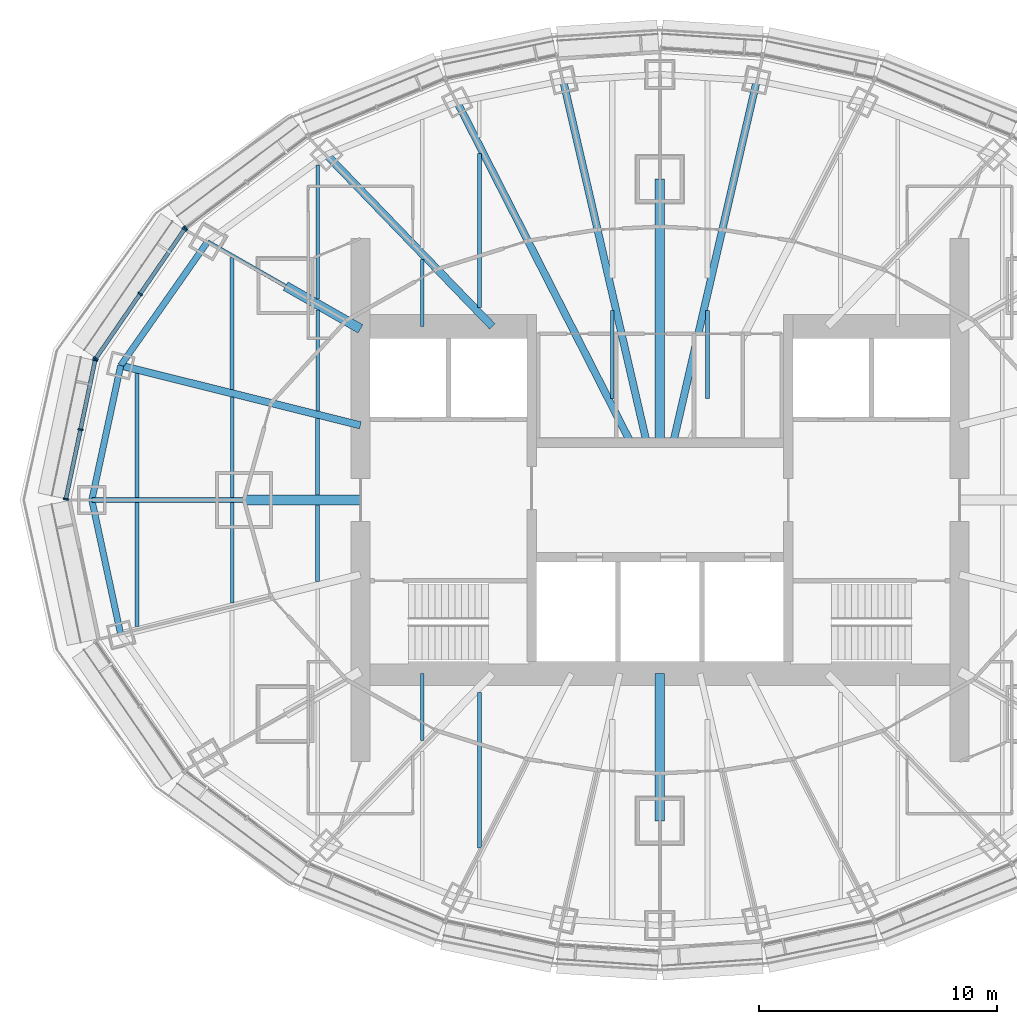
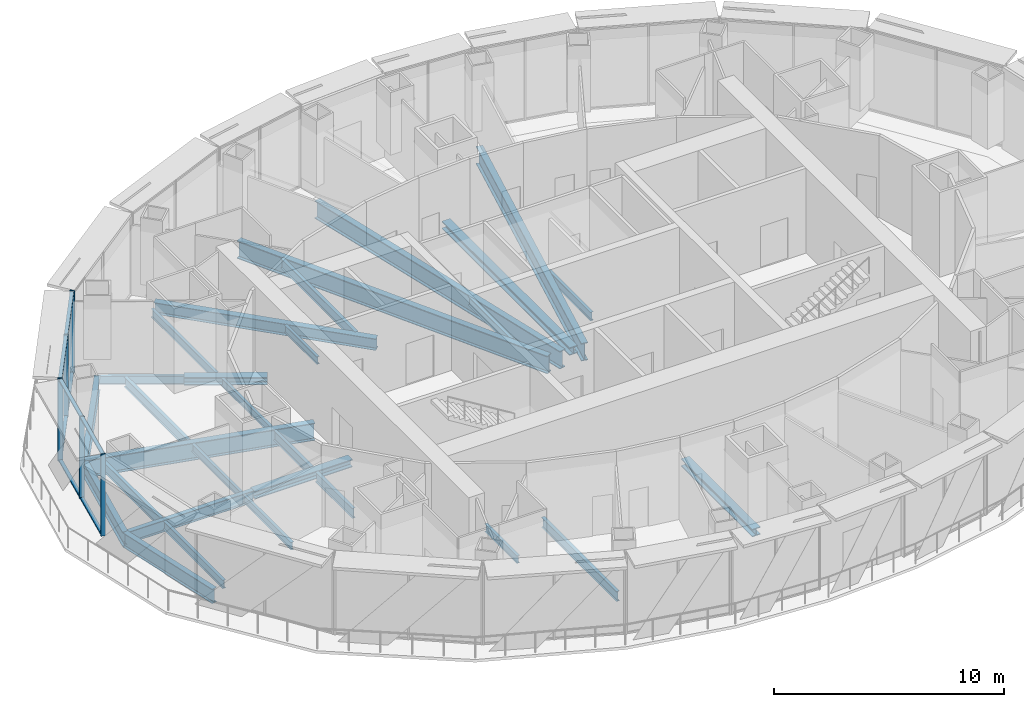
# One storey, part 3 of 17: 29 beams, 15 members, 3 elements without a shape of their own.
"""IFC4 building model written with IfcOpenShell, lengths in metres."""

from ifc_helpers import new_model, si_unit, direction, frame, origin, origin_2d, place, context, subcontext, project, spatial, rectangle, i_section, extrude, material, material_profile, profile_set, type_object, element, aggregate, save


model = new_model("IFC4")

# Units and contexts
model_context = context("Model", 3, precision=1e-05, world=origin(), true_north=direction((0.0, 1.0)))
body_context = subcontext(model_context, "Body", "Model", "MODEL_VIEW")
ifc_project = project(units=[si_unit("LENGTHUNIT", "METRE"), si_unit("AREAUNIT", "SQUARE_METRE"), si_unit("VOLUMEUNIT", "CUBIC_METRE"), si_unit("PLANEANGLEUNIT", "RADIAN"), si_unit("MASSUNIT", "GRAM", prefix="KILO")], contexts=[model_context])

# Site, building, storey
site_placement = place(None, origin())
site = spatial("IfcSite", under=ifc_project, at=site_placement, CompositionType="ELEMENT")
building_placement = place(site_placement, origin())
building = spatial("IfcBuilding", under=site, at=building_placement, Name="Lantaw Convention Tower", CompositionType="ELEMENT")
storey_placement = place(building_placement, frame((0.0, 0.0, 270.39990234375)))
storey = spatial("IfcBuildingStorey", under=building, at=storey_placement, Name="L63", CompositionType="ELEMENT", Elevation=270.39990234375)

# Beams
ifc_material_1 = material(Name="Steel ASTM A992", Category="steel")
ifc_material_profile_1 = material_profile(ifc_material_1, i_section(OverallWidth=0.2666015625, OverallDepth=0.76953125, WebThickness=0.015625, FlangeThickness=0.025390625, FilletRadius=0.0126953125, at=origin_2d()), Name="W30X132")
ifc_profile_set_1 = profile_set([ifc_material_profile_1], Name="Steel ASTM A992")
beam_type_1 = type_object("IfcBeamType", Name="Beam E W30X132", PredefinedType="SPANDREL", material=ifc_profile_set_1)
beam_1_placement = place(storey_placement, frame((-19.02685546875, 10.87255859375, -0.53466796875), z_axis=(-0.574400527612, -0.81857439117, 0.0), x_axis=(0.81857439117, -0.574400527612, 0.0)))
element("IfcBeam", 1, at=beam_1_placement, inside=storey, type_object=beam_type_1, Name="Edge beam 11", PredefinedType="SPANDREL", context=body_context, shape_type="SweptSolid", body=[
    extrude(i_section(OverallWidth=0.2666015625, OverallDepth=0.76953125, WebThickness=0.015625, FlangeThickness=0.025390625, FilletRadius=0.0126953125, at=origin_2d()), origin(), (0.0, 0.0, 1.0), 6.3720703125),
])
for number, where, z_axis, x_axis, name in (
    (2, (-22.68701171875, 5.656494140625, -0.53466796875), (-0.209658780372, -0.977774614015, 0.0), (0.977774614015, -0.209658780372, 0.0), "Edge beam 12"),
    (3, (-23.89990234375, 0.0, -0.53466796875), (0.209658780372, -0.977774614015, 0.0), (0.977774614015, 0.209658780372, 0.0), "Edge beam 13"),
):
    element("IfcBeam", number, at=place(storey_placement, frame(where, z_axis=z_axis, x_axis=x_axis)), inside=storey, type_object=beam_type_1, Name=name, PredefinedType="SPANDREL", context=body_context, shape_type="SweptSolid", body=[
        extrude(i_section(OverallWidth=0.2666015625, OverallDepth=0.76953125, WebThickness=0.015625, FlangeThickness=0.025390625, FilletRadius=0.0126953125, at=origin_2d()), origin(), (0.0, 0.0, 1.0), 5.78515625),
    ])
ifc_material_profile_2 = material_profile(ifc_material_1, i_section(OverallWidth=0.15234375, OverallDepth=0.449462890625, WebThickness=0.007568359375, FlangeThickness=0.0107421875, FilletRadius=0.01025390625, at=origin_2d()), Name="W18X35")
ifc_profile_set_2 = profile_set([ifc_material_profile_2], Name="Steel ASTM A992")
beam_type_2 = type_object("IfcBeamType", Name="Beam G W18X35", PredefinedType="BEAM", material=ifc_profile_set_2)
beam_2_placement = place(storey_placement, frame((-15.75, 9.0, -0.374755859375), z_axis=(-0.868235180478, 0.496152870978, 0.0), x_axis=(-0.496152870978, -0.868235180478, 0.0)))
element("IfcBeam", 4, at=beam_2_placement, inside=storey, type_object=beam_type_2, Name="Floor girder on ray 11", PredefinedType="BEAM", context=body_context, shape_type="SweptSolid", body=[
    extrude(i_section(OverallWidth=0.15234375, OverallDepth=0.449462890625, WebThickness=0.007568359375, FlangeThickness=0.0107421875, FilletRadius=0.01025390625, at=origin_2d()), origin(), (0.0, 0.0, 1.0), 3.774169921875),
])
ifc_material_profile_3 = material_profile(ifc_material_1, i_section(OverallWidth=0.3251953125, OverallDepth=0.612060546875, WebThickness=0.0126953125, FlangeThickness=0.01904296875, FilletRadius=0.0126953125, at=origin_2d()), Name="W24X104")
ifc_profile_set_3 = profile_set([ifc_material_profile_3], Name="Steel ASTM A992")
beam_type_3 = type_object("IfcBeamType", Name="Beam G W24X104", PredefinedType="BEAM", material=ifc_profile_set_3)
beam_3_placement = place(storey_placement, frame((-7.049560546875, 7.300048828125, -0.4560546875), z_axis=(-0.694652631285, 0.71934534255, 0.0), x_axis=(-0.71934534255, -0.694652631285, 0.0)))
element("IfcBeam", 5, at=beam_3_placement, inside=storey, type_object=beam_type_3, Name="Floor girder on ray 10", PredefinedType="BEAM", context=body_context, shape_type="SweptSolid", body=[
    extrude(i_section(OverallWidth=0.3251953125, OverallDepth=0.612060546875, WebThickness=0.0126953125, FlangeThickness=0.01904296875, FilletRadius=0.0126953125, at=origin_2d()), origin(), (0.0, 0.0, 1.0), 10.04541015625),
])
ifc_material_profile_4 = material_profile(ifc_material_1, i_section(OverallWidth=0.22900390625, OverallDepth=0.612060546875, WebThickness=0.011962890625, FlangeThickness=0.01953125, FilletRadius=0.0126953125, at=origin_2d()), Name="W24X84")
ifc_profile_set_4 = profile_set([ifc_material_profile_4], Name="Steel ASTM A992")
beam_type_4 = type_object("IfcBeamType", Name="Beam G W24X84", PredefinedType="BEAM", material=ifc_profile_set_4)
beam_4_placement = place(storey_placement, frame((-17.5, 0.0, -0.4560546875), z_axis=(-1.0, 0.0, 0.0), x_axis=(0.0, -1.0, 0.0)))
element("IfcBeam", 6, at=beam_4_placement, inside=storey, type_object=beam_type_4, Name="Floor girder on ray 13", PredefinedType="BEAM", context=body_context, shape_type="SweptSolid", body=[
    extrude(i_section(OverallWidth=0.22900390625, OverallDepth=0.612060546875, WebThickness=0.011962890625, FlangeThickness=0.01953125, FilletRadius=0.0126953125, at=origin_2d()), origin(), (0.0, 0.0, 1.0), 6.39990234375),
])
ifc_material_profile_5 = material_profile(ifc_material_1, i_section(OverallWidth=0.307373046875, OverallDepth=0.922119140625, WebThickness=0.018310546875, FlangeThickness=0.030029296875, FilletRadius=0.0126953125, at=origin_2d()), Name="W36X182")
ifc_profile_set_5 = profile_set([ifc_material_profile_5], Name="Steel ASTM A992")
beam_type_5 = type_object("IfcBeamType", Name="Beam G W36X182", PredefinedType="BEAM", material=ifc_profile_set_5)
beam_5_placement = place(storey_placement, frame((-12.60009765625, 3.1416015625, -0.61083984375), z_axis=(-0.97029702597, 0.241916682751, 0.0), x_axis=(-0.241916682751, -0.97029702597, 0.0)))
element("IfcBeam", 7, at=beam_5_placement, inside=storey, type_object=beam_type_5, Name="Floor girder on ray 12", PredefinedType="BEAM", context=body_context, shape_type="SweptSolid", body=[
    extrude(i_section(OverallWidth=0.307373046875, OverallDepth=0.922119140625, WebThickness=0.018310546875, FlangeThickness=0.030029296875, FilletRadius=0.0126953125, at=origin_2d()), origin(), (0.0, 0.0, 1.0), 10.395751953125),
])
ifc_material_profile_6 = material_profile(ifc_material_1, i_section(OverallWidth=0.307373046875, OverallDepth=0.9423828125, WebThickness=0.022216796875, FlangeThickness=0.039794921875, FilletRadius=0.0126953125, at=origin_2d()), Name="W36X232")
ifc_profile_set_6 = profile_set([ifc_material_profile_6], Name="Steel ASTM A992")
beam_type_6 = type_object("IfcBeamType", Name="Beam G W36X232", PredefinedType="BEAM", material=ifc_profile_set_6)
for number, where, z_axis, x_axis, name in (
    (8, (0.55419921875, 2.39990234375, -0.62109375), (0.22493929298, 0.974372780035, 0.0), (-0.974372780035, 0.22493929298, 0.0), "Floor girder on ray 6"),
    (9, (-0.55419921875, 2.39990234375, -0.62109375), (-0.22493929298, 0.974372780035, 0.0), (-0.974372780035, -0.22493929298, 0.0), "Floor girder on ray 8"),
):
    element("IfcBeam", number, at=place(storey_placement, frame(where, z_axis=z_axis, x_axis=x_axis)), inside=storey, type_object=beam_type_6, Name=name, PredefinedType="BEAM", context=body_context, shape_type="SweptSolid", body=[
        extrude(i_section(OverallWidth=0.307373046875, OverallDepth=0.9423828125, WebThickness=0.022216796875, FlangeThickness=0.039794921875, FilletRadius=0.0126953125, at=origin_2d()), origin(), (0.0, 0.0, 1.0), 15.643310546875),
    ])
beam_6_placement = place(storey_placement, frame((-1.222900390625, 2.39990234375, -0.62109375), z_axis=(-0.453985554173, 0.891009044063, 0.0), x_axis=(-0.891009044063, -0.453985554173, 0.0)))
element("IfcBeam", 10, at=beam_6_placement, inside=storey, type_object=beam_type_6, Name="Floor girder on ray 9", PredefinedType="BEAM", context=body_context, shape_type="SweptSolid", body=[
    extrude(i_section(OverallWidth=0.307373046875, OverallDepth=0.9423828125, WebThickness=0.022216796875, FlangeThickness=0.039794921875, FilletRadius=0.0126953125, at=origin_2d()), origin(), (0.0, 0.0, 1.0), 16.091796875),
])
ifc_material_profile_7 = material_profile(ifc_material_1, i_section(OverallWidth=0.40380859375, OverallDepth=0.406494140625, WebThickness=0.027099609375, FlangeThickness=0.043701171875, FilletRadius=0.01513671875, at=origin_2d()), Name="W14X233")
ifc_profile_set_7 = profile_set([ifc_material_profile_7], Name="Steel ASTM A992")
beam_type_7 = type_object("IfcBeamType", Name="Beam GM W14X233", PredefinedType="BEAM", material=ifc_profile_set_7)
beam_7_placement = place(storey_placement, frame((0.0, 2.39990234375, -0.35302734375), z_axis=(0.0, 1.0, 0.0), x_axis=(-1.0, 0.0, 0.0)))
element("IfcBeam", 11, at=beam_7_placement, inside=storey, type_object=beam_type_7, Name="Core link beam on ray 7", PredefinedType="BEAM", context=body_context, shape_type="SweptSolid", body=[
    extrude(i_section(OverallWidth=0.40380859375, OverallDepth=0.406494140625, WebThickness=0.027099609375, FlangeThickness=0.043701171875, FilletRadius=0.01513671875, at=origin_2d()), origin(), (0.0, 0.0, 1.0), 11.10009765625),
])
beam_8_placement = place(storey_placement, frame((-12.60009765625, 7.199951171875, -0.35302734375), z_axis=(-0.868230718294, 0.496160679428, 0.0), x_axis=(-0.496160679428, -0.868230718294, 0.0)))
element("IfcBeam", 12, at=beam_8_placement, inside=storey, type_object=beam_type_7, Name="Core link beam on ray 11", PredefinedType="BEAM", context=body_context, shape_type="SweptSolid", body=[
    extrude(i_section(OverallWidth=0.40380859375, OverallDepth=0.406494140625, WebThickness=0.027099609375, FlangeThickness=0.043701171875, FilletRadius=0.01513671875, at=origin_2d()), origin(), (0.0, 0.0, 1.0), 3.6279296875),
])
beam_9_placement = place(storey_placement, frame((-12.60009765625, 0.0, -0.35302734375), z_axis=(-1.0, 0.0, 0.0), x_axis=(0.0, -1.0, 0.0)))
element("IfcBeam", 13, at=beam_9_placement, inside=storey, type_object=beam_type_7, Name="Core link beam on ray 13", PredefinedType="BEAM", context=body_context, shape_type="SweptSolid", body=[
    extrude(i_section(OverallWidth=0.40380859375, OverallDepth=0.406494140625, WebThickness=0.027099609375, FlangeThickness=0.043701171875, FilletRadius=0.01513671875, at=origin_2d()), origin(), (0.0, 0.0, 1.0), 4.89990234375),
])
beam_10_placement = place(storey_placement, frame((0.0, -7.300048828125, -0.35302734375), z_axis=(0.0, -1.0, 0.0), x_axis=(1.0, 0.0, 0.0)))
element("IfcBeam", 14, at=beam_10_placement, inside=storey, type_object=beam_type_7, Name="Core link beam on ray 19", PredefinedType="BEAM", context=body_context, shape_type="SweptSolid", body=[
    extrude(i_section(OverallWidth=0.40380859375, OverallDepth=0.406494140625, WebThickness=0.027099609375, FlangeThickness=0.043701171875, FilletRadius=0.01513671875, at=origin_2d()), origin(), (0.0, 0.0, 1.0), 6.199951171875),
])
ifc_material_profile_8 = material_profile(ifc_material_1, i_section(OverallWidth=0.140380859375, OverallDepth=0.40380859375, WebThickness=0.007080078125, FlangeThickness=0.01123046875, FilletRadius=0.01025390625, at=origin_2d()), Name="W16X31")
ifc_profile_set_8 = profile_set([ifc_material_profile_8], Name="Steel ASTM A992")
beam_type_8 = type_object("IfcBeamType", Name="Beam J W16X31", PredefinedType="JOIST", material=ifc_profile_set_8)
for number, where, z_axis, x_axis, name in (
    (15, (-18.0, -4.32958984375, -0.351806640625), (0.0, 1.0, 0.0), (-1.0, 0.0, 0.0), "Floor joist"),
    (16, (-18.0, 0.114501953125, -0.351806640625), (0.0, 1.0, 0.0), (-1.0, 0.0, 0.0), "Floor joist"),
):
    element("IfcBeam", number, at=place(storey_placement, frame(where, z_axis=z_axis, x_axis=x_axis)), inside=storey, type_object=beam_type_8, Name=name, PredefinedType="JOIST", context=body_context, shape_type="SweptSolid", body=[
        extrude(i_section(OverallWidth=0.140380859375, OverallDepth=0.40380859375, WebThickness=0.007080078125, FlangeThickness=0.01123046875, FilletRadius=0.01025390625, at=origin_2d()), origin(), (0.0, 0.0, 1.0), 4.215087890625),
    ])
beam_11_placement = place(storey_placement, frame((-14.39990234375, 3.748779296875, -0.351806640625), z_axis=(0.0, 1.0, 0.0), x_axis=(-1.0, 0.0, 0.0)))
element("IfcBeam", 17, at=beam_11_placement, inside=storey, type_object=beam_type_8, Name="Floor joist", PredefinedType="JOIST", context=body_context, shape_type="SweptSolid", body=[
    extrude(i_section(OverallWidth=0.140380859375, OverallDepth=0.40380859375, WebThickness=0.007080078125, FlangeThickness=0.01123046875, FilletRadius=0.01025390625, at=origin_2d()), origin(), (0.0, 0.0, 1.0), 4.247314453125),
])
for number, where, z_axis, x_axis, name in (
    (18, (-10.0, -10.121337890625, -0.351806640625), (0.0, 1.0, 0.0), (-1.0, 0.0, 0.0), "Floor joist"),
    (19, (-10.0, 7.300048828125, -0.351806640625), (0.0, 1.0, 0.0), (-1.0, 0.0, 0.0), "Floor joist"),
):
    element("IfcBeam", number, at=place(storey_placement, frame(where, z_axis=z_axis, x_axis=x_axis)), inside=storey, type_object=beam_type_8, Name=name, PredefinedType="JOIST", context=body_context, shape_type="SweptSolid", body=[
        extrude(i_section(OverallWidth=0.140380859375, OverallDepth=0.40380859375, WebThickness=0.007080078125, FlangeThickness=0.01123046875, FilletRadius=0.01025390625, at=origin_2d()), origin(), (0.0, 0.0, 1.0), 2.8212890625),
    ])
ifc_material_profile_9 = material_profile(ifc_material_1, i_section(OverallWidth=0.15234375, OverallDepth=0.449462890625, WebThickness=0.007568359375, FlangeThickness=0.0107421875, FilletRadius=0.01025390625, at=origin_2d()), Name="W18X35")
ifc_profile_set_9 = profile_set([ifc_material_profile_9], Name="Steel ASTM A992")
beam_type_9 = type_object("IfcBeamType", Name="Beam J W18X35", PredefinedType="JOIST", material=ifc_profile_set_9)
beam_12_placement = place(storey_placement, frame((-22.0, -5.326904296875, -0.374755859375), z_axis=(0.0, 1.0, 0.0), x_axis=(-1.0, 0.0, 0.0)))
element("IfcBeam", 20, at=beam_12_placement, inside=storey, type_object=beam_type_9, Name="Floor joist", PredefinedType="JOIST", context=body_context, shape_type="SweptSolid", body=[
    extrude(i_section(OverallWidth=0.15234375, OverallDepth=0.449462890625, WebThickness=0.007568359375, FlangeThickness=0.0107421875, FilletRadius=0.01025390625, at=origin_2d()), origin(), (0.0, 0.0, 1.0), 5.21240234375),
])
beam_13_placement = place(storey_placement, frame((-14.39990234375, 8.461181640625, -0.374755859375), z_axis=(0.0, 1.0, 0.0), x_axis=(-1.0, 0.0, 0.0)))
element("IfcBeam", 21, at=beam_13_placement, inside=storey, type_object=beam_type_9, Name="Floor joist", PredefinedType="JOIST", context=body_context, shape_type="SweptSolid", body=[
    extrude(i_section(OverallWidth=0.15234375, OverallDepth=0.449462890625, WebThickness=0.007568359375, FlangeThickness=0.0107421875, FilletRadius=0.01025390625, at=origin_2d()), origin(), (0.0, 0.0, 1.0), 5.627685546875),
])
for number, where, z_axis, x_axis, name in (
    (22, (-2.0, 4.263671875, -0.374755859375), (0.0, 1.0, 0.0), (-1.0, 0.0, 0.0), "Floor joist"),
    (23, (2.0, 4.263671875, -0.374755859375), (0.0, 1.0, 0.0), (-1.0, 0.0, 0.0), "Floor joist"),
):
    element("IfcBeam", number, at=place(storey_placement, frame(where, z_axis=z_axis, x_axis=x_axis)), inside=storey, type_object=beam_type_9, Name=name, PredefinedType="JOIST", context=body_context, shape_type="SweptSolid", body=[
        extrude(i_section(OverallWidth=0.15234375, OverallDepth=0.449462890625, WebThickness=0.007568359375, FlangeThickness=0.0107421875, FilletRadius=0.01025390625, at=origin_2d()), origin(), (0.0, 0.0, 1.0), 3.716064453125),
    ])
ifc_material_profile_10 = material_profile(ifc_material_1, i_section(OverallWidth=0.1650390625, OverallDepth=0.52587890625, WebThickness=0.0087890625, FlangeThickness=0.011474609375, FilletRadius=0.0126953125, at=origin_2d()), Name="W21X44")
ifc_profile_set_10 = profile_set([ifc_material_profile_10], Name="Steel ASTM A992")
beam_type_10 = type_object("IfcBeamType", Name="Beam J W21X44", PredefinedType="JOIST", material=ifc_profile_set_10)
beam_14_placement = place(storey_placement, frame((-22.0, 0.114501953125, -0.412841796875), z_axis=(0.0, 1.0, 0.0), x_axis=(-1.0, 0.0, 0.0)))
element("IfcBeam", 24, at=beam_14_placement, inside=storey, type_object=beam_type_10, Name="Floor joist", PredefinedType="JOIST", context=body_context, shape_type="SweptSolid", body=[
    extrude(i_section(OverallWidth=0.1650390625, OverallDepth=0.52587890625, WebThickness=0.0087890625, FlangeThickness=0.011474609375, FilletRadius=0.0126953125, at=origin_2d()), origin(), (0.0, 0.0, 1.0), 5.21240234375),
])
for number, where, z_axis, x_axis, name in (
    (25, (-14.39990234375, -3.431884765625, -0.412841796875), (0.0, 1.0, 0.0), (-1.0, 0.0, 0.0), "Floor joist"),
    (26, (-14.39990234375, 0.201904296875, -0.412841796875), (0.0, 1.0, 0.0), (-1.0, 0.0, 0.0), "Floor joist"),
):
    element("IfcBeam", number, at=place(storey_placement, frame(where, z_axis=z_axis, x_axis=x_axis)), inside=storey, type_object=beam_type_10, Name=name, PredefinedType="JOIST", context=body_context, shape_type="SweptSolid", body=[
        extrude(i_section(OverallWidth=0.1650390625, OverallDepth=0.52587890625, WebThickness=0.0087890625, FlangeThickness=0.011474609375, FilletRadius=0.0126953125, at=origin_2d()), origin(), (0.0, 0.0, 1.0), 3.22998046875),
    ])
beam_15_placement = place(storey_placement, frame((-7.60009765625, -14.635986328125, -0.412841796875), z_axis=(0.0, 1.0, 0.0), x_axis=(-1.0, 0.0, 0.0)))
element("IfcBeam", 27, at=beam_15_placement, inside=storey, type_object=beam_type_10, Name="Floor joist", PredefinedType="JOIST", context=body_context, shape_type="SweptSolid", body=[
    extrude(i_section(OverallWidth=0.1650390625, OverallDepth=0.52587890625, WebThickness=0.0087890625, FlangeThickness=0.011474609375, FilletRadius=0.0126953125, at=origin_2d()), origin(), (0.0, 0.0, 1.0), 6.531982421875),
])
beam_16_placement = place(storey_placement, frame((-7.60009765625, 8.10400390625, -0.412841796875), z_axis=(0.0, 1.0, 0.0), x_axis=(-1.0, 0.0, 0.0)))
element("IfcBeam", 28, at=beam_16_placement, inside=storey, type_object=beam_type_10, Name="Floor joist", PredefinedType="JOIST", context=body_context, shape_type="SweptSolid", body=[
    extrude(i_section(OverallWidth=0.1650390625, OverallDepth=0.52587890625, WebThickness=0.0087890625, FlangeThickness=0.011474609375, FilletRadius=0.0126953125, at=origin_2d()), origin(), (0.0, 0.0, 1.0), 6.473388671875),
])
ifc_material_profile_11 = material_profile(ifc_material_1, i_section(OverallWidth=0.165771484375, OverallDepth=0.5283203125, WebThickness=0.009765625, FlangeThickness=0.013671875, FilletRadius=0.012939453125, at=origin_2d()), Name="W21X50")
ifc_profile_set_11 = profile_set([ifc_material_profile_11], Name="Steel ASTM A992")
beam_type_11 = type_object("IfcBeamType", Name="Beam J W21X50", PredefinedType="JOIST", material=ifc_profile_set_11)
beam_17_placement = place(storey_placement, frame((-18.0, 4.646240234375, -0.4140625), z_axis=(0.0, 1.0, 0.0), x_axis=(-1.0, 0.0, 0.0)))
element("IfcBeam", 29, at=beam_17_placement, inside=storey, type_object=beam_type_11, Name="Floor joist", PredefinedType="JOIST", context=body_context, shape_type="SweptSolid", body=[
    extrude(i_section(OverallWidth=0.165771484375, OverallDepth=0.5283203125, WebThickness=0.009765625, FlangeThickness=0.013671875, FilletRadius=0.012939453125, at=origin_2d()), origin(), (0.0, 0.0, 1.0), 5.5517578125),
])

# Curtain wall, member
ifc_material_2 = material(Name="Aluminium framed curtain wall", Category="aluminium")
curtain_wall_type = type_object("IfcCurtainWallType", Name="Executive floors curtain wall, pale aluminium", PredefinedType="USERDEFINED", material=ifc_material_2)
curtain_wall_1_placement = place(storey_placement, origin())
curtain_wall_1 = element("IfcCurtainWall", 30, at=curtain_wall_1_placement, inside=storey, type_object=curtain_wall_type, Name="Executive floors curtain wall, pale aluminium L63", ObjectType="UNITISED CURTAIN WALL", PredefinedType="USERDEFINED")
ifc_material_3 = material(Name="Aluminium 6063-T6", Category="aluminium")
ifc_material_profile_12 = material_profile(ifc_material_3, rectangle(XDim=0.219970703125, YDim=0.070068359375, at=origin_2d()), Name="CW-T mullion 70x220")
ifc_profile_set_12 = profile_set([ifc_material_profile_12], Name="Aluminium 6063-T6")
member_type_1 = type_object("IfcMemberType", Name="CW-T mullion 70x220", PredefinedType="MULLION", material=ifc_profile_set_12)
member_1_placement = place(storey_placement, frame((-19.953857421875, 11.439208984375, 0.0), z_axis=(0.0, 0.0, 1.0), x_axis=(0.600642756762, -0.799517528732, 0.0)))
member_1 = element("IfcMember", 31, at=member_1_placement, type_object=member_type_1, Name="CW-T mullion 3", PredefinedType="MULLION", context=body_context, shape_type="SweptSolid", body=[
    extrude(rectangle(XDim=0.219970703125, YDim=0.070068359375, at=origin_2d()), origin(), (0.0, 0.0, 1.0), 4.35009765625),
])
aggregate(curtain_wall_1, [member_1])

# Curtain wall, members
curtain_wall_2_placement = place(storey_placement, origin())
curtain_wall_2 = element("IfcCurtainWall", 32, at=curtain_wall_2_placement, inside=storey, type_object=curtain_wall_type, Name="Executive floors curtain wall, pale aluminium L63", ObjectType="UNITISED CURTAIN WALL", PredefinedType="USERDEFINED")
member_2_placement = place(storey_placement, frame((-20.001708984375, 11.389404296875, 0.0), z_axis=(0.0, 0.0, 1.0), x_axis=(0.824449977189, -0.565934832921, 0.0)))
member_2 = element("IfcMember", 33, at=member_2_placement, type_object=member_type_1, Name="CW-T mullion 1", PredefinedType="MULLION", context=body_context, shape_type="SweptSolid", body=[
    extrude(rectangle(XDim=0.219970703125, YDim=0.070068359375, at=origin_2d()), origin(), (0.0, 0.0, 1.0), 4.35009765625),
])
member_3_placement = place(storey_placement, frame((-21.8681640625, 8.67041015625, 0.0), z_axis=(0.0, 0.0, 1.0), x_axis=(0.824449977189, -0.565934832921, 0.0)))
member_3 = element("IfcMember", 34, at=member_3_placement, type_object=member_type_1, Name="CW-T mullion 2", PredefinedType="MULLION", context=body_context, shape_type="SweptSolid", body=[
    extrude(rectangle(XDim=0.219970703125, YDim=0.070068359375, at=origin_2d()), origin(), (0.0, 0.0, 1.0), 4.35009765625),
])
member_4_placement = place(storey_placement, frame((-23.734619140625, 5.951416015625, 0.0), z_axis=(0.0, 0.0, 1.0), x_axis=(0.824449977189, -0.565934832921, 0.0)))
member_4 = element("IfcMember", 35, at=member_4_placement, type_object=member_type_1, Name="CW-T mullion 3", PredefinedType="MULLION", context=body_context, shape_type="SweptSolid", body=[
    extrude(rectangle(XDim=0.219970703125, YDim=0.070068359375, at=origin_2d()), origin(), (0.0, 0.0, 1.0), 4.35009765625),
])

curtain_wall_3_placement = place(storey_placement, origin())
curtain_wall_3 = element("IfcCurtainWall", 36, at=curtain_wall_3_placement, inside=storey, type_object=curtain_wall_type, Name="Executive floors curtain wall, pale aluminium L63", ObjectType="UNITISED CURTAIN WALL", PredefinedType="USERDEFINED")
member_5_placement = place(storey_placement, frame((-23.761474609375, 5.888427734375, 0.0), z_axis=(0.0, 0.0, 1.0), x_axis=(0.978591117263, -0.205814054946, 0.0)))
member_5 = element("IfcMember", 37, at=member_5_placement, type_object=member_type_1, Name="CW-T mullion 1", PredefinedType="MULLION", context=body_context, shape_type="SweptSolid", body=[
    extrude(rectangle(XDim=0.219970703125, YDim=0.070068359375, at=origin_2d()), origin(), (0.0, 0.0, 1.0), 4.35009765625),
])
member_6_placement = place(storey_placement, frame((-24.377197265625, 2.96142578125, 0.0), z_axis=(0.0, 0.0, 1.0), x_axis=(0.978591117263, -0.205814054946, 0.0)))
member_6 = element("IfcMember", 38, at=member_6_placement, type_object=member_type_1, Name="CW-T mullion 2", PredefinedType="MULLION", context=body_context, shape_type="SweptSolid", body=[
    extrude(rectangle(XDim=0.219970703125, YDim=0.070068359375, at=origin_2d()), origin(), (0.0, 0.0, 1.0), 4.35009765625),
])
member_7_placement = place(storey_placement, frame((-24.99267578125, 0.0341796875, 0.0), z_axis=(0.0, 0.0, 1.0), x_axis=(0.978591117263, -0.205814054946, 0.0)))
member_7 = element("IfcMember", 39, at=member_7_placement, type_object=member_type_1, Name="CW-T mullion 3", PredefinedType="MULLION", context=body_context, shape_type="SweptSolid", body=[
    extrude(rectangle(XDim=0.219970703125, YDim=0.070068359375, at=origin_2d()), origin(), (0.0, 0.0, 1.0), 4.35009765625),
])

# Member
ifc_material_profile_13 = material_profile(ifc_material_3, rectangle(XDim=0.169921875, YDim=0.070068359375, at=origin_2d()), Name="CW-T transom 70x170")
ifc_profile_set_13 = profile_set([ifc_material_profile_13], Name="Aluminium 6063-T6")
member_type_2 = type_object("IfcMemberType", Name="CW-T transom 70x170", PredefinedType="USERDEFINED", material=ifc_profile_set_13)
member_8_placement = place(storey_placement, frame((-20.021484375, 11.360595703125, 0.03515625), z_axis=(-0.56594129057, -0.824445544368, 0.0), x_axis=(0.824445544368, -0.56594129057, 0.0)))
member_8 = element("IfcMember", 40, at=member_8_placement, type_object=member_type_2, Name="CW-T transom 1.1", ObjectType="TRANSOM", PredefinedType="USERDEFINED", context=body_context, shape_type="SweptSolid", body=[
    extrude(rectangle(XDim=0.169921875, YDim=0.070068359375, at=origin_2d()), origin(), (0.0, 0.0, 1.0), 3.22802734375),
])

member_9_placement = place(storey_placement, frame((-20.021484375, 11.360595703125, 4.315185546875), z_axis=(-0.56594129057, -0.824445544368, 0.0), x_axis=(0.824445544368, -0.56594129057, 0.0)))
member_9 = element("IfcMember", 41, at=member_9_placement, type_object=member_type_2, Name="CW-T transom 1.2", ObjectType="TRANSOM", PredefinedType="USERDEFINED", context=body_context, shape_type="SweptSolid", body=[
    extrude(rectangle(XDim=0.169921875, YDim=0.070068359375, at=origin_2d()), origin(), (0.0, 0.0, 1.0), 3.22802734375),
])

member_10_placement = place(storey_placement, frame((-21.887939453125, 8.6416015625, 0.03515625), z_axis=(-0.56594129057, -0.824445544368, 0.0), x_axis=(0.824445544368, -0.56594129057, 0.0)))
member_10 = element("IfcMember", 42, at=member_10_placement, type_object=member_type_2, Name="CW-T transom 2.1", ObjectType="TRANSOM", PredefinedType="USERDEFINED", context=body_context, shape_type="SweptSolid", body=[
    extrude(rectangle(XDim=0.169921875, YDim=0.070068359375, at=origin_2d()), origin(), (0.0, 0.0, 1.0), 3.22802734375),
])

member_11_placement = place(storey_placement, frame((-21.887939453125, 8.6416015625, 4.315185546875), z_axis=(-0.56594129057, -0.824445544368, 0.0), x_axis=(0.824445544368, -0.56594129057, 0.0)))
member_11 = element("IfcMember", 43, at=member_11_placement, type_object=member_type_2, Name="CW-T transom 2.2", ObjectType="TRANSOM", PredefinedType="USERDEFINED", context=body_context, shape_type="SweptSolid", body=[
    extrude(rectangle(XDim=0.169921875, YDim=0.070068359375, at=origin_2d()), origin(), (0.0, 0.0, 1.0), 3.22802734375),
])

aggregate(curtain_wall_2, [member_2, member_3, member_4, member_8, member_9, member_10, member_11])

member_12_placement = place(storey_placement, frame((-23.768798828125, 5.854248046875, 0.03515625), z_axis=(-0.205766173106, -0.978601186391, 0.0), x_axis=(0.978601186391, -0.205766173106, 0.0)))
member_12 = element("IfcMember", 44, at=member_12_placement, type_object=member_type_2, Name="CW-T transom 1.1", ObjectType="TRANSOM", PredefinedType="USERDEFINED", context=body_context, shape_type="SweptSolid", body=[
    extrude(rectangle(XDim=0.169921875, YDim=0.070068359375, at=origin_2d()), origin(), (0.0, 0.0, 1.0), 2.921142578125),
])

member_13_placement = place(storey_placement, frame((-23.768798828125, 5.854248046875, 4.315185546875), z_axis=(-0.205766173106, -0.978601186391, 0.0), x_axis=(0.978601186391, -0.205766173106, 0.0)))
member_13 = element("IfcMember", 45, at=member_13_placement, type_object=member_type_2, Name="CW-T transom 1.2", ObjectType="TRANSOM", PredefinedType="USERDEFINED", context=body_context, shape_type="SweptSolid", body=[
    extrude(rectangle(XDim=0.169921875, YDim=0.070068359375, at=origin_2d()), origin(), (0.0, 0.0, 1.0), 2.921142578125),
])

member_14_placement = place(storey_placement, frame((-24.38427734375, 2.927001953125, 0.03515625), z_axis=(-0.205863045856, -0.978580812376, 0.0), x_axis=(0.978580812376, -0.205863045856, 0.0)))
member_14 = element("IfcMember", 46, at=member_14_placement, type_object=member_type_2, Name="CW-T transom 2.1", ObjectType="TRANSOM", PredefinedType="USERDEFINED", context=body_context, shape_type="SweptSolid", body=[
    extrude(rectangle(XDim=0.169921875, YDim=0.070068359375, at=origin_2d()), origin(), (0.0, 0.0, 1.0), 2.9208984375),
])

member_15_placement = place(storey_placement, frame((-24.38427734375, 2.927001953125, 4.315185546875), z_axis=(-0.205863045856, -0.978580812376, 0.0), x_axis=(0.978580812376, -0.205863045856, 0.0)))
member_15 = element("IfcMember", 47, at=member_15_placement, type_object=member_type_2, Name="CW-T transom 2.2", ObjectType="TRANSOM", PredefinedType="USERDEFINED", context=body_context, shape_type="SweptSolid", body=[
    extrude(rectangle(XDim=0.169921875, YDim=0.070068359375, at=origin_2d()), origin(), (0.0, 0.0, 1.0), 2.9208984375),
])

aggregate(curtain_wall_3, [member_5, member_6, member_7, member_12, member_13, member_14, member_15])

save(model, "model.ifc")
